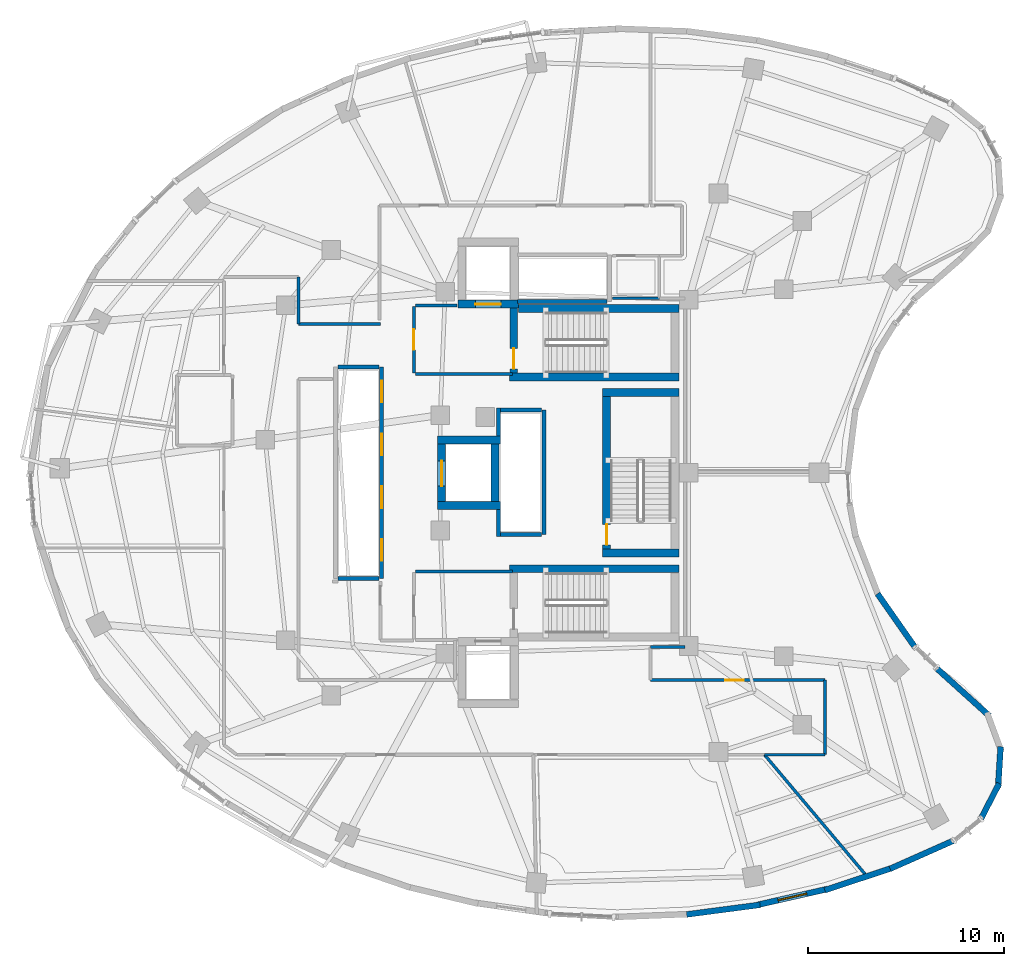
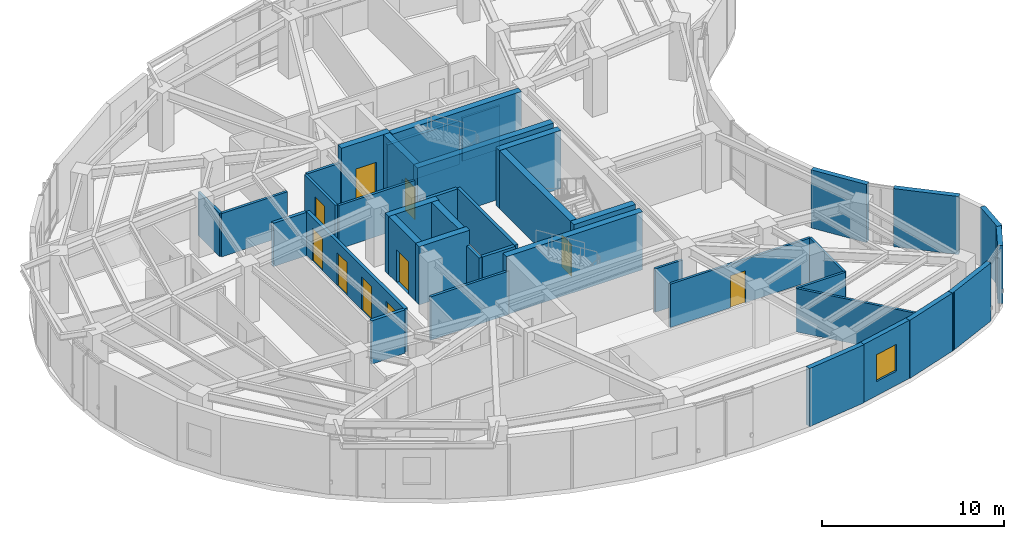
# One storey, part 9 of 15: 41 walls, 10 doors, 1 window, 11 openings.
"""IFC4 building model written with IfcOpenShell, lengths in metres."""

from ifc_helpers import new_model, si_unit, direction, frame, frame_2d, origin, place, context, subcontext, project, spatial, rectangle, extrude, material, layer, layer_set, type_object, element, fill, save


model = new_model("IFC4")

# Units and contexts
model_context = context("Model", 3, precision=1e-05, world=origin(), true_north=direction((0.0, 1.0)))
body_context = subcontext(model_context, "Body", "Model", "MODEL_VIEW")
ifc_project = project(units=[si_unit("LENGTHUNIT", "METRE"), si_unit("AREAUNIT", "SQUARE_METRE"), si_unit("VOLUMEUNIT", "CUBIC_METRE"), si_unit("PLANEANGLEUNIT", "RADIAN"), si_unit("MASSUNIT", "GRAM", prefix="KILO")], contexts=[model_context])

# Site, building, storey
site_placement = place(None, origin())
site = spatial("IfcSite", under=ifc_project, at=site_placement, CompositionType="ELEMENT")
building_placement = place(site_placement, origin())
building = spatial("IfcBuilding", under=site, at=building_placement, Name="Korentha Bioscience Tower", CompositionType="ELEMENT")
storey_placement = place(building_placement, frame((0.0, 0.0, 218.39990234375)))
storey = spatial("IfcBuildingStorey", under=building, at=storey_placement, Name="L50", CompositionType="ELEMENT", Elevation=218.39990234375)

# Wall, opening, door
ifc_material_1 = material(Name="Double-Stud Acoustic Gypsum", Category="gypsum")
ifc_layer_1 = layer(ifc_material_1, 0.14990234375, Name="Double-Stud Acoustic Gypsum")
ifc_layer_set_1 = layer_set([ifc_layer_1], Name="Double-Stud Acoustic Gypsum (IW-L150)")
wall_type_1 = type_object("IfcWallType", Name="Acoustic Laboratory Partition Wall 150", PredefinedType="PARTITIONING", material=ifc_layer_set_1)
wall_1_placement = place(storey_placement, frame((44.5, 16.409912109375, 0.0), z_axis=(0.0, 0.0, 1.0), x_axis=(-1.0, 0.0, 0.0)))
wall_1 = element("IfcWall", 1, at=wall_1_placement, inside=storey, type_object=wall_type_1, Name="L50 Clinical Trials Data Office 06 Entrance Wall", PredefinedType="PARTITIONING", context=body_context, shape_type="SweptSolid", body=[
    extrude(rectangle(XDim=8.89794921875, YDim=0.14990234375, at=frame_2d((4.448974609375, 0.0))), origin(), (0.0, 0.0, 1.0), 2.91015625),
])
opening_1_placement = place(wall_1_placement, frame((4.13818359375, 0.0, 0.0)))
opening_1 = element("IfcOpeningElement", 2, at=opening_1_placement, cuts=wall_1, Name="Opening ID-10R", PredefinedType="OPENING", context=body_context, shape_type="SweptSolid", body=[
    extrude(rectangle(XDim=0.949951171875, YDim=2.14990234375, at=frame_2d((0.47509765625, 1.074951171875))), frame((0.0, 0.08984375, 0.0), z_axis=(0.0, -1.0, 0.0), x_axis=(1.0, 0.0, 0.0)), (0.0, 0.0, 1.0), 0.1796875),
])
ifc_material_2 = material(Name="Phenolic Laminate Timber Core", Category="wood")
door_type_1 = type_object("IfcDoorType", Name="Laboratory Single Leaf Door 950x2150 Right", OperationType="SINGLE_SWING_RIGHT", PredefinedType="DOOR", material=ifc_material_2)
door_1_placement = place(opening_1_placement, origin())
door_1 = element("IfcDoor", 3, at=door_1_placement, inside=storey, type_object=door_type_1, Name="L50 Clinical Trials Data Office 06 Door", OperationType="SINGLE_SWING_RIGHT", OverallHeight=2.14990234375, OverallWidth=0.949951171875, PredefinedType="DOOR", context=body_context, shape_type="SweptSolid", body=[
    extrude(rectangle(XDim=0.949951171875, YDim=2.14990234375, at=frame_2d((0.47509765625, 1.074951171875))), frame((0.0, 0.02490234375, 0.0), z_axis=(0.0, -1.0, 0.0), x_axis=(1.0, 0.0, 0.0)), (0.0, 0.0, 1.0), 0.050048828125),
])
fill(opening_1, door_1)

# Walls
wall_2_placement = place(storey_placement, frame((41.41796875, 12.590087890625, 0.0), z_axis=(0.0, 0.0, 1.0), x_axis=(0.644315695233, -0.764759625554, 0.0)))
element("IfcWall", 4, at=wall_2_placement, inside=storey, type_object=wall_type_1, Name="L50 Interior Partition 033", PredefinedType="PARTITIONING", context=body_context, shape_type="SweptSolid", body=[
    extrude(rectangle(XDim=8.229736328125, YDim=0.14990234375, at=frame_2d((4.11474609375, 0.0))), origin(), (0.0, 0.0, 1.0), 2.91015625),
])
wall_3_placement = place(storey_placement, frame((35.60205078125, 18.090087890625, 0.0), z_axis=(0.0, 0.0, 1.0), x_axis=(1.0, 0.0, 0.0)))
element("IfcWall", 5, at=wall_3_placement, inside=storey, type_object=wall_type_1, Name="L50 Interior Partition 034", PredefinedType="PARTITIONING", context=body_context, shape_type="SweptSolid", body=[
    extrude(rectangle(XDim=1.748046875, YDim=0.14990234375, at=frame_2d((0.8740234375, 0.0))), origin(), (0.0, 0.0, 1.0), 2.91015625),
])
wall_4_placement = place(storey_placement, frame((41.430908203125, 12.590087890625, 0.0), z_axis=(0.0, 0.0, 1.0), x_axis=(1.0, 0.0, 0.0)))
element("IfcWall", 6, at=wall_4_placement, inside=storey, type_object=wall_type_1, Name="L50 Interior Partition 037", PredefinedType="PARTITIONING", context=body_context, shape_type="SweptSolid", body=[
    extrude(rectangle(XDim=3.069091796875, YDim=0.14990234375, at=frame_2d((1.53466796875, 0.0))), origin(), (0.0, 0.0, 1.0), 2.91015625),
])
wall_5_placement = place(storey_placement, frame((44.510009765625, 12.60009765625, 0.0), z_axis=(0.0, 0.0, 1.0), x_axis=(0.0, 1.0, 0.0)))
element("IfcWall", 7, at=wall_5_placement, inside=storey, type_object=wall_type_1, Name="L50 Interior Partition 038", PredefinedType="PARTITIONING", context=body_context, shape_type="SweptSolid", body=[
    extrude(rectangle(XDim=3.7998046875, YDim=0.14990234375, at=frame_2d((1.89990234375, 0.0))), origin(), (0.0, 0.0, 1.0), 2.91015625),
])

# Wall, opening, door
ifc_material_3 = material(Name="Gypsum-Clad Steel Stud", Category="steel")
ifc_layer_2 = layer(ifc_material_3, 0.159912109375, Name="Gypsum-Clad Steel Stud")
ifc_layer_set_2 = layer_set([ifc_layer_2], Name="Gypsum-Clad Steel Stud (IW-C160)")
wall_type_2 = type_object("IfcWallType", Name="Fire-Rated Corridor Partition Wall 160", PredefinedType="PARTITIONING", material=ifc_layer_set_2)
wall_6_placement = place(storey_placement, frame((23.5, 32.10009765625, 0.0), z_axis=(0.0, 0.0, 1.0), x_axis=(0.0, 1.0, 0.0)))
wall_6 = element("IfcWall", 8, at=wall_6_placement, inside=storey, type_object=wall_type_2, Name="L50 FFLN-CW Rated Enclosure Wall", PredefinedType="PARTITIONING", context=body_context, shape_type="SweptSolid", body=[
    extrude(rectangle(XDim=3.39990234375, YDim=0.159912109375, at=frame_2d((1.699951171875, 0.0))), origin(), (0.0, 0.0, 1.0), 2.91015625),
])
opening_2_placement = place(wall_6_placement, frame((1.175048828125, 0.0, 0.0)))
opening_2 = element("IfcOpeningElement", 9, at=opening_2_placement, cuts=wall_6, Name="Opening FD-90L", PredefinedType="OPENING", context=body_context, shape_type="SweptSolid", body=[
    extrude(rectangle(XDim=1.050048828125, YDim=2.14990234375, at=frame_2d((0.52490234375, 1.074951171875))), frame((0.0, 0.0947265625, 0.0), z_axis=(0.0, -1.0, 0.0), x_axis=(1.0, 0.0, 0.0)), (0.0, 0.0, 1.0), 0.189697265625),
])
ifc_material_4 = material(Name="Powder-Coated Fire-Rated Steel", Category="steel")
door_type_2 = type_object("IfcDoorType", Name="Stairwell Fire Exit Door 1050x2150 Left", OperationType="SINGLE_SWING_LEFT", PredefinedType="DOOR", material=ifc_material_4)
door_2_placement = place(opening_2_placement, origin())
door_2 = element("IfcDoor", 10, at=door_2_placement, inside=storey, type_object=door_type_2, Name="L50 North Firefighting Lobby Door", OperationType="SINGLE_SWING_LEFT", OverallHeight=2.14990234375, OverallWidth=1.050048828125, PredefinedType="DOOR", context=body_context, shape_type="SweptSolid", body=[
    extrude(rectangle(XDim=1.050048828125, YDim=2.14990234375, at=frame_2d((0.52490234375, 1.074951171875))), frame((0.0, 0.02490234375, 0.0), z_axis=(0.0, -1.0, 0.0), x_axis=(1.0, 0.0, 0.0)), (0.0, 0.0, 1.0), 0.050048828125),
])
fill(opening_2, door_2)

# Walls
wall_7_placement = place(storey_placement, frame((23.580078125, 32.050048828125, 0.0), z_axis=(0.0, 0.0, 1.0), x_axis=(1.0, 0.0, 0.0)))
element("IfcWall", 11, at=wall_7_placement, inside=storey, type_object=wall_type_2, Name="L50 Firefighting Lobby Return Wall FFLN-S", PredefinedType="PARTITIONING", context=body_context, shape_type="SweptSolid", body=[
    extrude(rectangle(XDim=4.969970703125, YDim=0.159912109375, at=frame_2d((2.48486328125, 0.0))), origin(), (0.0, 0.0, 1.0), 2.91015625),
])
wall_8_placement = place(storey_placement, frame((23.580078125, 35.550048828125, 0.0), z_axis=(0.0, 0.0, 1.0), x_axis=(1.0, 0.0, 0.0)))
element("IfcWall", 12, at=wall_8_placement, inside=storey, type_object=wall_type_2, Name="L50 Firefighting Lobby Return Wall FFLN-N", PredefinedType="PARTITIONING", context=body_context, shape_type="SweptSolid", body=[
    extrude(rectangle(XDim=2.119873046875, YDim=0.159912109375, at=frame_2d((1.06005859375, 0.0))), origin(), (0.0, 0.0, 1.0), 2.91015625),
])
wall_9_placement = place(storey_placement, frame((23.580078125, 21.949951171875, 0.0), z_axis=(0.0, 0.0, 1.0), x_axis=(1.0, 0.0, 0.0)))
element("IfcWall", 13, at=wall_9_placement, inside=storey, type_object=wall_type_2, Name="L50 Firefighting Lobby Return Wall FFLS-N", PredefinedType="PARTITIONING", context=body_context, shape_type="SweptSolid", body=[
    extrude(rectangle(XDim=4.969970703125, YDim=0.159912109375, at=frame_2d((2.48486328125, 0.0))), origin(), (0.0, 0.0, 1.0), 2.91015625),
])
wall_10_placement = place(storey_placement, frame((21.7900390625, 34.610107421875, 0.0), z_axis=(0.0, 0.0, 1.0), x_axis=(-1.0, 0.0, 0.0)))
element("IfcWall", 14, at=wall_10_placement, inside=storey, type_object=wall_type_2, Name="L50 Interior Partition 051", PredefinedType="PARTITIONING", context=body_context, shape_type="SweptSolid", body=[
    extrude(rectangle(XDim=4.179931640625, YDim=0.159912109375, at=frame_2d((2.08984375, 0.0))), origin(), (0.0, 0.0, 1.0), 2.91015625),
])
wall_11_placement = place(storey_placement, frame((17.610107421875, 34.610107421875, 0.0), z_axis=(0.0, 0.0, 1.0), x_axis=(0.0, 1.0, 0.0)))
element("IfcWall", 15, at=wall_11_placement, inside=storey, type_object=wall_type_2, Name="L50 Interior Partition 052", PredefinedType="PARTITIONING", context=body_context, shape_type="SweptSolid", body=[
    extrude(rectangle(XDim=2.389892578125, YDim=0.159912109375, at=frame_2d((1.19482421875, 0.0))), origin(), (0.0, 0.0, 1.0), 2.91015625),
])

# Wall, opening, window
ifc_material_5 = material(Name="Honed Limestone Precast Concrete C40", Category="masonry")
ifc_layer_3 = layer(ifc_material_5, 0.300048828125, Name="Honed Limestone Precast Concrete C40")
ifc_layer_set_3 = layer_set([ifc_layer_3], Name="Honed Limestone Precast Concrete C40 (EW-ST300)")
wall_type_3 = type_object("IfcWallType", Name="Honed Limestone Cavity Spandrel Wall 300", PredefinedType="STANDARD", material=ifc_layer_set_3)
wall_12_placement = place(storey_placement, frame((41.03564453125, 4.913818359375, 0.0), z_axis=(0.0, 0.0, 1.0), x_axis=(0.975237678872, 0.221159376263, 0.0)))
wall_12 = element("IfcWall", 16, at=wall_12_placement, inside=storey, type_object=wall_type_3, Name="L50 Honed Limestone Spandrel Wall 34", PredefinedType="STANDARD", context=body_context, shape_type="SweptSolid", body=[
    extrude(rectangle(XDim=3.70263671875, YDim=0.300048828125, at=frame_2d((1.851318359375, 0.0))), origin(), (0.0, 0.0, 1.0), 3.900146484375),
])
opening_3_placement = place(wall_12_placement, frame((1.101318359375, 0.0, 0.949951171875)))
opening_3 = element("IfcOpeningElement", 17, at=opening_3_placement, cuts=wall_12, Name="Opening WN-02", PredefinedType="OPENING", context=body_context, shape_type="SweptSolid", body=[
    extrude(rectangle(XDim=1.5, YDim=1.800048828125, at=frame_2d((0.75, 0.89990234375))), frame((0.0, 0.1650390625, 0.0), z_axis=(0.0, -1.0, 0.0), x_axis=(1.0, 0.0, 0.0)), (0.0, 0.0, 1.0), 0.329833984375),
])
ifc_material_6 = material(Name="Thermally Broken Aluminium Triple Glazing", Category="aluminium")
window_type = type_object("IfcWindowType", Name="Acoustic Operable Office Window 1500x1800", PartitioningType="DOUBLE_PANEL_VERTICAL", PredefinedType="WINDOW", material=ifc_material_6)
window_placement = place(opening_3_placement, origin())
window = element("IfcWindow", 18, at=window_placement, inside=storey, type_object=window_type, Name="L50 Facade Window 34", OverallHeight=1.800048828125, OverallWidth=1.5, PartitioningType="DOUBLE_PANEL_VERTICAL", PredefinedType="WINDOW", context=body_context, shape_type="SweptSolid", body=[
    extrude(rectangle(XDim=1.5, YDim=1.800048828125, at=frame_2d((0.75, 0.89990234375))), frame((0.0, 0.030029296875, 0.0), z_axis=(0.0, -1.0, 0.0), x_axis=(1.0, 0.0, 0.0)), (0.0, 0.0, 1.0), 0.06005859375),
])
fill(opening_3, window)

# Walls
wall_13_placement = place(storey_placement, frame((37.43701171875, 4.427978515625, 0.0), z_axis=(0.0, 0.0, 1.0), x_axis=(0.991512801574, 0.130009093201, 0.0)))
element("IfcWall", 19, at=wall_13_placement, inside=storey, type_object=wall_type_3, Name="L50 Limestone Perimeter Closure Wall 33", PredefinedType="STANDARD", context=body_context, shape_type="SweptSolid", body=[
    extrude(rectangle(XDim=3.785888671875, YDim=0.300048828125, at=frame_2d((1.89306640625, 0.0))), origin(), (0.0, 0.0, 1.0), 3.900146484375),
])
wall_14_placement = place(storey_placement, frame((44.503662109375, 5.67138671875, 0.0), z_axis=(0.0, 0.0, 1.0), x_axis=(0.94972655205, 0.313080622734, 0.0)))
element("IfcWall", 20, at=wall_14_placement, inside=storey, type_object=wall_type_3, Name="L50 Limestone Perimeter Closure Wall 35", PredefinedType="STANDARD", context=body_context, shape_type="SweptSolid", body=[
    extrude(rectangle(XDim=3.67919921875, YDim=0.300048828125, at=frame_2d((1.839599609375, 0.0))), origin(), (0.0, 0.0, 1.0), 3.900146484375),
])
wall_15_placement = place(storey_placement, frame((47.835693359375, 6.7607421875, 0.0), z_axis=(0.0, 0.0, 1.0), x_axis=(0.913940198441, 0.405848880341, 0.0)))
element("IfcWall", 21, at=wall_15_placement, inside=storey, type_object=wall_type_3, Name="L50 Limestone Perimeter Closure Wall 36", PredefinedType="STANDARD", context=body_context, shape_type="SweptSolid", body=[
    extrude(rectangle(XDim=3.598388671875, YDim=0.300048828125, at=frame_2d((1.79931640625, 0.0))), origin(), (0.0, 0.0, 1.0), 3.900146484375),
])
wall_16_placement = place(storey_placement, frame((52.451904296875, 9.2646484375, 0.0), z_axis=(0.0, 0.0, 1.0), x_axis=(0.459683297138, 0.888082916361, 0.0)))
element("IfcWall", 22, at=wall_16_placement, inside=storey, type_object=wall_type_3, Name="L50 Limestone Perimeter Closure Wall 38", PredefinedType="STANDARD", context=body_context, shape_type="SweptSolid", body=[
    extrude(rectangle(XDim=2.091552734375, YDim=0.300048828125, at=frame_2d((1.0458984375, 0.0))), origin(), (0.0, 0.0, 1.0), 3.900146484375),
])
wall_17_placement = place(storey_placement, frame((53.356201171875, 10.915283203125, 0.0), z_axis=(0.0, 0.0, 1.0), x_axis=(0.06186954965, 0.998084244353, 0.0)))
element("IfcWall", 23, at=wall_17_placement, inside=storey, type_object=wall_type_3, Name="L50 Limestone Perimeter Closure Wall 39", PredefinedType="STANDARD", context=body_context, shape_type="SweptSolid", body=[
    extrude(rectangle(XDim=2.09130859375, YDim=0.300048828125, at=frame_2d((1.045654296875, 0.0))), origin(), (0.0, 0.0, 1.0), 3.900146484375),
])
wall_18_placement = place(storey_placement, frame((52.9169921875, 14.568603515625, 0.0), z_axis=(0.0, 0.0, 1.0), x_axis=(-0.742037796493, 0.670358045059, 0.0)))
element("IfcWall", 24, at=wall_18_placement, inside=storey, type_object=wall_type_3, Name="L50 Limestone Perimeter Closure Wall 41", PredefinedType="STANDARD", context=body_context, shape_type="SweptSolid", body=[
    extrude(rectangle(XDim=3.685302734375, YDim=0.300048828125, at=frame_2d((1.8427734375, 0.0))), origin(), (0.0, 0.0, 1.0), 3.900146484375),
])
wall_19_placement = place(storey_placement, frame((49.123046875, 18.0673828125, 0.0), z_axis=(0.0, 0.0, 1.0), x_axis=(-0.573598849051, 0.819136350291, 0.0)))
element("IfcWall", 25, at=wall_19_placement, inside=storey, type_object=wall_type_3, Name="L50 Limestone Perimeter Closure Wall 44", PredefinedType="STANDARD", context=body_context, shape_type="SweptSolid", body=[
    extrude(rectangle(XDim=3.36083984375, YDim=0.300048828125, at=frame_2d((1.680419921875, 0.0))), origin(), (0.0, 0.0, 1.0), 3.900146484375),
])

# Wall, openings, doors
ifc_material_7 = material(Name="Autoclaved Aerated Concrete Block C25", Category="concrete")
ifc_layer_4 = layer(ifc_material_7, 0.199951171875, Name="Autoclaved Aerated Concrete Block C25")
ifc_layer_set_4 = layer_set([ifc_layer_4], Name="Autoclaved Aerated Concrete Block C25 (IW-S200)")
wall_type_4 = type_object("IfcWallType", Name="Lift and Riser Shaft Enclosure Wall 200", PredefinedType="PARTITIONING", material=ifc_layer_set_4)
wall_20_placement = place(storey_placement, frame((21.85009765625, 21.60009765625, 0.0), z_axis=(0.0, 0.0, 1.0), x_axis=(0.0, 1.0, 0.0)))
wall_20 = element("IfcWall", 26, at=wall_20_placement, inside=storey, type_object=wall_type_4, Name="L50 Lift Bank MID Shaft Wall +X", PredefinedType="PARTITIONING", context=body_context, shape_type="SweptSolid", body=[
    extrude(rectangle(XDim=10.7998046875, YDim=0.199951171875, at=frame_2d((5.39990234375, 0.0))), origin(), (0.0, 0.0, 1.0), 2.91015625),
])
opening_4_placement = place(wall_20_placement, frame((0.89990234375, 0.0, 0.0)))
opening_4 = element("IfcOpeningElement", 27, at=opening_4_placement, cuts=wall_20, Name="Opening LD-11", PredefinedType="OPENING", context=body_context, shape_type="SweptSolid", body=[
    extrude(rectangle(XDim=1.10009765625, YDim=2.199951171875, at=frame_2d((0.550048828125, 1.10009765625))), frame((0.0, 0.11474609375, 0.0), z_axis=(0.0, -1.0, 0.0), x_axis=(1.0, 0.0, 0.0)), (0.0, 0.0, 1.0), 0.229736328125),
])
opening_5_placement = place(wall_20_placement, frame((3.60009765625, 0.0, 0.0)))
opening_5 = element("IfcOpeningElement", 28, at=opening_5_placement, cuts=wall_20, Name="Opening LD-11", PredefinedType="OPENING", context=body_context, shape_type="SweptSolid", body=[
    extrude(rectangle(XDim=1.10009765625, YDim=2.199951171875, at=frame_2d((0.550048828125, 1.10009765625))), frame((0.0, 0.11474609375, 0.0), z_axis=(0.0, -1.0, 0.0), x_axis=(1.0, 0.0, 0.0)), (0.0, 0.0, 1.0), 0.229736328125),
])
opening_6_placement = place(wall_20_placement, frame((6.300048828125, 0.0, 0.0)))
opening_6 = element("IfcOpeningElement", 29, at=opening_6_placement, cuts=wall_20, Name="Opening LD-11", PredefinedType="OPENING", context=body_context, shape_type="SweptSolid", body=[
    extrude(rectangle(XDim=1.10009765625, YDim=2.199951171875, at=frame_2d((0.550048828125, 1.10009765625))), frame((0.0, 0.11474609375, 0.0), z_axis=(0.0, -1.0, 0.0), x_axis=(1.0, 0.0, 0.0)), (0.0, 0.0, 1.0), 0.229736328125),
])
opening_7_placement = place(wall_20_placement, frame((9.0, 0.0, 0.0)))
opening_7 = element("IfcOpeningElement", 30, at=opening_7_placement, cuts=wall_20, Name="Opening LD-11", PredefinedType="OPENING", context=body_context, shape_type="SweptSolid", body=[
    extrude(rectangle(XDim=1.10009765625, YDim=2.199951171875, at=frame_2d((0.550048828125, 1.10009765625))), frame((0.0, 0.11474609375, 0.0), z_axis=(0.0, -1.0, 0.0), x_axis=(1.0, 0.0, 0.0)), (0.0, 0.0, 1.0), 0.229736328125),
])
ifc_material_8 = material(Name="Brushed Stainless Steel 304", Category="steel")
door_type_3 = type_object("IfcDoorType", Name="Passenger Lift Sliding Landing Door 1100x2200", OperationType="DOUBLE_DOOR_SLIDING", PredefinedType="DOOR", material=ifc_material_8)
door_3_placement = place(opening_4_placement, origin())
door_3 = element("IfcDoor", 31, at=door_3_placement, inside=storey, type_object=door_type_3, Name="L50 PL-M1 Sliding Lift Landing Door", OperationType="DOUBLE_DOOR_SLIDING", OverallHeight=2.199951171875, OverallWidth=1.10009765625, PredefinedType="DOOR", context=body_context, shape_type="SweptSolid", body=[
    extrude(rectangle(XDim=1.10009765625, YDim=2.199951171875, at=frame_2d((0.550048828125, 1.10009765625))), frame((0.0, 0.02490234375, 0.0), z_axis=(0.0, -1.0, 0.0), x_axis=(1.0, 0.0, 0.0)), (0.0, 0.0, 1.0), 0.050048828125),
])
fill(opening_4, door_3)
door_4_placement = place(opening_5_placement, origin())
door_4 = element("IfcDoor", 32, at=door_4_placement, inside=storey, type_object=door_type_3, Name="L50 PL-M2 Sliding Lift Landing Door", OperationType="DOUBLE_DOOR_SLIDING", OverallHeight=2.199951171875, OverallWidth=1.10009765625, PredefinedType="DOOR", context=body_context, shape_type="SweptSolid", body=[
    extrude(rectangle(XDim=1.10009765625, YDim=2.199951171875, at=frame_2d((0.550048828125, 1.10009765625))), frame((0.0, 0.02490234375, 0.0), z_axis=(0.0, -1.0, 0.0), x_axis=(1.0, 0.0, 0.0)), (0.0, 0.0, 1.0), 0.050048828125),
])
fill(opening_5, door_4)
door_5_placement = place(opening_6_placement, origin())
door_5 = element("IfcDoor", 33, at=door_5_placement, inside=storey, type_object=door_type_3, Name="L50 PL-M3 Sliding Lift Landing Door", OperationType="DOUBLE_DOOR_SLIDING", OverallHeight=2.199951171875, OverallWidth=1.10009765625, PredefinedType="DOOR", context=body_context, shape_type="SweptSolid", body=[
    extrude(rectangle(XDim=1.10009765625, YDim=2.199951171875, at=frame_2d((0.550048828125, 1.10009765625))), frame((0.0, 0.02490234375, 0.0), z_axis=(0.0, -1.0, 0.0), x_axis=(1.0, 0.0, 0.0)), (0.0, 0.0, 1.0), 0.050048828125),
])
fill(opening_6, door_5)
door_6_placement = place(opening_7_placement, origin())
door_6 = element("IfcDoor", 34, at=door_6_placement, inside=storey, type_object=door_type_3, Name="L50 PL-M4 Sliding Lift Landing Door", OperationType="DOUBLE_DOOR_SLIDING", OverallHeight=2.199951171875, OverallWidth=1.10009765625, PredefinedType="DOOR", context=body_context, shape_type="SweptSolid", body=[
    extrude(rectangle(XDim=1.10009765625, YDim=2.199951171875, at=frame_2d((0.550048828125, 1.10009765625))), frame((0.0, 0.02490234375, 0.0), z_axis=(0.0, -1.0, 0.0), x_axis=(1.0, 0.0, 0.0)), (0.0, 0.0, 1.0), 0.050048828125),
])
fill(opening_7, door_6)

# Walls
for number, where, z_axis, x_axis, name in (
    (35, (19.6201171875, 21.60009765625, 0.0), (0.0, 0.0, 1.0), (1.0, 0.0, 0.0), "L50 Lift Bank MID Shaft Wall -Y"),
    (36, (19.6201171875, 32.39990234375, 0.0), (0.0, 0.0, 1.0), (1.0, 0.0, 0.0), "L50 Lift Bank MID Shaft Wall +Y"),
):
    element("IfcWall", number, at=place(storey_placement, frame(where, z_axis=z_axis, x_axis=x_axis)), inside=storey, type_object=wall_type_4, Name=name, PredefinedType="PARTITIONING", context=body_context, shape_type="SweptSolid", body=[
        extrude(rectangle(XDim=2.10986328125, YDim=0.199951171875, at=frame_2d((1.054931640625, 0.0))), origin(), (0.0, 0.0, 1.0), 2.91015625),
    ])
wall_21_placement = place(storey_placement, frame((27.830078125, 23.75, 0.0), z_axis=(0.0, 0.0, 1.0), x_axis=(0.0, 1.0, 0.0)))
element("IfcWall", 37, at=wall_21_placement, inside=storey, type_object=wall_type_4, Name="L50 Lift Bank HIGH Shaft Wall -XS", PredefinedType="PARTITIONING", context=body_context, shape_type="SweptSolid", body=[
    extrude(rectangle(XDim=1.365966796875, YDim=0.199951171875, at=frame_2d((0.68310546875, 0.0))), origin(), (0.0, 0.0, 1.0), 2.91015625),
])
wall_22_placement = place(storey_placement, frame((27.830078125, 28.884033203125, 0.0), z_axis=(0.0, 0.0, 1.0), x_axis=(0.0, 1.0, 0.0)))
element("IfcWall", 38, at=wall_22_placement, inside=storey, type_object=wall_type_4, Name="L50 Lift Bank HIGH Shaft Wall -XN", PredefinedType="PARTITIONING", context=body_context, shape_type="SweptSolid", body=[
    extrude(rectangle(XDim=1.416015625, YDim=0.199951171875, at=frame_2d((0.7080078125, 0.0))), origin(), (0.0, 0.0, 1.0), 2.91015625),
])
wall_23_placement = place(storey_placement, frame((30.14990234375, 23.85009765625, 0.0), z_axis=(0.0, 0.0, 1.0), x_axis=(0.0, 1.0, 0.0)))
element("IfcWall", 39, at=wall_23_placement, inside=storey, type_object=wall_type_4, Name="L50 Lift Bank HIGH Shaft Wall +X", PredefinedType="PARTITIONING", context=body_context, shape_type="SweptSolid", body=[
    extrude(rectangle(XDim=6.349853515625, YDim=0.199951171875, at=frame_2d((3.1748046875, 0.0))), origin(), (0.0, 0.0, 1.0), 2.91015625),
])
for number, where, z_axis, x_axis, name in (
    (40, (27.93408203125, 23.85009765625, 0.0), (0.0, 0.0, 1.0), (1.0, 0.0, 0.0), "L50 Lift Bank HIGH Shaft Wall -Y"),
    (41, (27.93408203125, 30.199951171875, 0.0), (0.0, 0.0, 1.0), (1.0, 0.0, 0.0), "L50 Lift Bank HIGH Shaft Wall +Y"),
):
    element("IfcWall", number, at=place(storey_placement, frame(where, z_axis=z_axis, x_axis=x_axis)), inside=storey, type_object=wall_type_4, Name=name, PredefinedType="PARTITIONING", context=body_context, shape_type="SweptSolid", body=[
        extrude(rectangle(XDim=2.095947265625, YDim=0.199951171875, at=frame_2d((1.0478515625, 0.0))), origin(), (0.0, 0.0, 1.0), 2.91015625),
    ])
wall_24_placement = place(storey_placement, frame((28.800048828125, 35.760009765625, 0.0), z_axis=(0.0, 0.0, 1.0), x_axis=(1.0, 0.0, 0.0)))
element("IfcWall", 42, at=wall_24_placement, inside=storey, type_object=wall_type_4, Name="L50 Lift Bank OBS Shaft Wall -Y", PredefinedType="PARTITIONING", context=body_context, shape_type="SweptSolid", body=[
    extrude(rectangle(XDim=4.570068359375, YDim=0.199951171875, at=frame_2d((2.28515625, 0.0))), origin(), (0.0, 0.0, 1.0), 2.91015625),
])
ifc_material_9 = material(Name="Concrete C65", Category="concrete")
ifc_layer_5 = layer(ifc_material_9, 0.39990234375, Name="Concrete C65")
ifc_layer_set_5 = layer_set([ifc_layer_5], Name="Concrete C65 (CW-C65)")
wall_type_5 = type_object("IfcWallType", Name="Mid-Rise Core Shear Wall 400", PredefinedType="SHEAR", material=ifc_layer_set_5)
wall_25_placement = place(storey_placement, frame((28.85205078125, 35.39990234375, 0.0), z_axis=(0.0, 0.0, 1.0), x_axis=(1.0, 0.0, 0.0)))
element("IfcWall", 43, at=wall_25_placement, inside=storey, type_object=wall_type_5, Name="L50 Core Shear Wall ST1-N", PredefinedType="SHEAR", context=body_context, shape_type="SweptSolid", body=[
    extrude(rectangle(XDim=8.197998046875, YDim=0.39990234375, at=frame_2d((4.09912109375, 0.0))), origin(), (0.0, 0.0, 1.0), 3.900146484375),
])
wall_26_placement = place(storey_placement, frame((28.39990234375, 31.89990234375, 0.0), z_axis=(0.0, 0.0, 1.0), x_axis=(1.0, 0.0, 0.0)))
element("IfcWall", 44, at=wall_26_placement, inside=storey, type_object=wall_type_5, Name="L50 Core Shear Wall ST1-S", PredefinedType="SHEAR", context=body_context, shape_type="SweptSolid", body=[
    extrude(rectangle(XDim=8.650146484375, YDim=0.39990234375, at=frame_2d((4.3251953125, 0.0))), origin(), (0.0, 0.0, 1.0), 3.900146484375),
])

# Wall, opening, door
wall_27_placement = place(storey_placement, frame((28.60009765625, 32.110107421875, 0.0), z_axis=(0.0, 0.0, 1.0), x_axis=(0.0, 1.0, 0.0)))
wall_27 = element("IfcWall", 45, at=wall_27_placement, inside=storey, type_object=wall_type_5, Name="L50 Core Shear Wall ST1-W", PredefinedType="SHEAR", context=body_context, shape_type="SweptSolid", body=[
    extrude(rectangle(XDim=3.307861328125, YDim=0.39990234375, at=frame_2d((1.65380859375, 0.0))), origin(), (0.0, 0.0, 1.0), 3.900146484375),
])
opening_8_placement = place(wall_27_placement, frame((0.199951171875, 0.0, 0.0)))
opening_8 = element("IfcOpeningElement", 46, at=opening_8_placement, cuts=wall_27, Name="Opening FD-90L", PredefinedType="OPENING", context=body_context, shape_type="SweptSolid", body=[
    extrude(rectangle(XDim=1.050048828125, YDim=2.14990234375, at=frame_2d((0.52490234375, 1.074951171875))), frame((0.0, 0.21484375, 0.0), z_axis=(0.0, -1.0, 0.0), x_axis=(1.0, 0.0, 0.0)), (0.0, 0.0, 1.0), 0.4296875),
])
door_7_placement = place(opening_8_placement, origin())
door_7 = element("IfcDoor", 47, at=door_7_placement, inside=storey, type_object=door_type_2, Name="L50 ST-1 Fire Exit Stair Door", OperationType="SINGLE_SWING_LEFT", OverallHeight=2.14990234375, OverallWidth=1.050048828125, PredefinedType="DOOR", context=body_context, shape_type="SweptSolid", body=[
    extrude(rectangle(XDim=1.050048828125, YDim=2.14990234375, at=frame_2d((0.52490234375, 1.074951171875))), frame((0.0, 0.02490234375, 0.0), z_axis=(0.0, -1.0, 0.0), x_axis=(1.0, 0.0, 0.0)), (0.0, 0.0, 1.0), 0.050048828125),
])
fill(opening_8, door_7)

# Walls
wall_28_placement = place(storey_placement, frame((28.39990234375, 22.10009765625, 0.0), z_axis=(0.0, 0.0, 1.0), x_axis=(1.0, 0.0, 0.0)))
element("IfcWall", 48, at=wall_28_placement, inside=storey, type_object=wall_type_5, Name="L50 Core Shear Wall ST2-N", PredefinedType="SHEAR", context=body_context, shape_type="SweptSolid", body=[
    extrude(rectangle(XDim=8.650146484375, YDim=0.39990234375, at=frame_2d((4.3251953125, 0.0))), origin(), (0.0, 0.0, 1.0), 3.900146484375),
])
for number, where, z_axis, x_axis, name in (
    (49, (33.14990234375, 31.10009765625, 0.0), (0.0, 0.0, 1.0), (1.0, 0.0, 0.0), "L50 Core Shear Wall ST3-N"),
    (50, (33.14990234375, 22.89990234375, 0.0), (0.0, 0.0, 1.0), (1.0, 0.0, 0.0), "L50 Core Shear Wall ST3-S"),
):
    element("IfcWall", number, at=place(storey_placement, frame(where, z_axis=z_axis, x_axis=x_axis)), inside=storey, type_object=wall_type_5, Name=name, PredefinedType="SHEAR", context=body_context, shape_type="SweptSolid", body=[
        extrude(rectangle(XDim=3.900146484375, YDim=0.39990234375, at=frame_2d((1.9501953125, 0.0))), origin(), (0.0, 0.0, 1.0), 3.900146484375),
    ])

# Wall, opening, door
wall_29_placement = place(storey_placement, frame((33.35009765625, 23.110107421875, 0.0), z_axis=(0.0, 0.0, 1.0), x_axis=(0.0, 1.0, 0.0)))
wall_29 = element("IfcWall", 51, at=wall_29_placement, inside=storey, type_object=wall_type_5, Name="L50 Core Shear Wall ST3-W", PredefinedType="SHEAR", context=body_context, shape_type="SweptSolid", body=[
    extrude(rectangle(XDim=7.77978515625, YDim=0.39990234375, at=frame_2d((3.889892578125, 0.0))), origin(), (0.0, 0.0, 1.0), 3.900146484375),
])
opening_9_placement = place(wall_29_placement, frame((0.199951171875, 0.0, 0.0)))
opening_9 = element("IfcOpeningElement", 52, at=opening_9_placement, cuts=wall_29, Name="Opening FD-90L", PredefinedType="OPENING", context=body_context, shape_type="SweptSolid", body=[
    extrude(rectangle(XDim=1.050048828125, YDim=2.14990234375, at=frame_2d((0.52490234375, 1.074951171875))), frame((0.0, 0.21484375, 0.0), z_axis=(0.0, -1.0, 0.0), x_axis=(1.0, 0.0, 0.0)), (0.0, 0.0, 1.0), 0.4296875),
])
door_8_placement = place(opening_9_placement, origin())
door_8 = element("IfcDoor", 53, at=door_8_placement, inside=storey, type_object=door_type_2, Name="L50 ST-3 Fire Exit Stair Door", OperationType="SINGLE_SWING_LEFT", OverallHeight=2.14990234375, OverallWidth=1.050048828125, PredefinedType="DOOR", context=body_context, shape_type="SweptSolid", body=[
    extrude(rectangle(XDim=1.050048828125, YDim=2.14990234375, at=frame_2d((0.52490234375, 1.074951171875))), frame((0.0, 0.02490234375, 0.0), z_axis=(0.0, -1.0, 0.0), x_axis=(1.0, 0.0, 0.0)), (0.0, 0.0, 1.0), 0.050048828125),
])
fill(opening_9, door_8)

wall_30_placement = place(storey_placement, frame((25.75, 35.6201171875, 0.0), z_axis=(0.0, 0.0, 1.0), x_axis=(1.0, 0.0, 0.0)))
wall_30 = element("IfcWall", 54, at=wall_30_placement, inside=storey, type_object=wall_type_5, Name="L50 Core Shear Wall FFL2-S", PredefinedType="SHEAR", context=body_context, shape_type="SweptSolid", body=[
    extrude(rectangle(XDim=3.10009765625, YDim=0.39990234375, at=frame_2d((1.550048828125, 0.0))), origin(), (0.0, 0.0, 1.0), 3.900146484375),
])
opening_10_placement = place(wall_30_placement, frame((0.89990234375, 0.0, 0.0)))
opening_10 = element("IfcOpeningElement", 55, at=opening_10_placement, cuts=wall_30, Name="Opening LD-13", PredefinedType="OPENING", context=body_context, shape_type="SweptSolid", body=[
    extrude(rectangle(XDim=1.300048828125, YDim=2.199951171875, at=frame_2d((0.64990234375, 1.10009765625))), frame((0.0, 0.21484375, 0.0), z_axis=(0.0, -1.0, 0.0), x_axis=(1.0, 0.0, 0.0)), (0.0, 0.0, 1.0), 0.4296875),
])
ifc_material_10 = material(Name="Brushed Stainless Steel 316", Category="steel")
door_type_4 = type_object("IfcDoorType", Name="Service & Firefighting Lift Landing Door 1300x2300", OperationType="DOUBLE_DOOR_SLIDING", PredefinedType="DOOR", material=ifc_material_10)
door_9_placement = place(opening_10_placement, origin())
door_9 = element("IfcDoor", 56, at=door_9_placement, inside=storey, type_object=door_type_4, Name="L50 FFL-2 Sliding Lift Landing Door", OperationType="DOUBLE_DOOR_SLIDING", OverallHeight=2.199951171875, OverallWidth=1.300048828125, PredefinedType="DOOR", context=body_context, shape_type="SweptSolid", body=[
    extrude(rectangle(XDim=1.300048828125, YDim=2.199951171875, at=frame_2d((0.64990234375, 1.10009765625))), frame((0.0, 0.02490234375, 0.0), z_axis=(0.0, -1.0, 0.0), x_axis=(1.0, 0.0, 0.0)), (0.0, 0.0, 1.0), 0.050048828125),
])
fill(opening_10, door_9)

# Walls
for number, where, z_axis, x_axis, name in (
    (57, (24.719970703125, 28.679931640625, 0.0), (0.0, 0.0, 1.0), (1.0, 0.0, 0.0), "L50 Core Shear Wall SVL1-N"),
    (58, (24.719970703125, 25.320068359375, 0.0), (0.0, 0.0, 1.0), (1.0, 0.0, 0.0), "L50 Core Shear Wall SVL1-S"),
):
    element("IfcWall", number, at=place(storey_placement, frame(where, z_axis=z_axis, x_axis=x_axis)), inside=storey, type_object=wall_type_5, Name=name, PredefinedType="SHEAR", context=body_context, shape_type="SweptSolid", body=[
        extrude(rectangle(XDim=3.2099609375, YDim=0.39990234375, at=frame_2d((1.60498046875, 0.0))), origin(), (0.0, 0.0, 1.0), 3.900146484375),
    ])

# Wall, opening, door
wall_31_placement = place(storey_placement, frame((24.919921875, 25.52197265625, 0.0), z_axis=(0.0, 0.0, 1.0), x_axis=(0.0, 1.0, 0.0)))
wall_31 = element("IfcWall", 59, at=wall_31_placement, inside=storey, type_object=wall_type_5, Name="L50 Core Shear Wall SVL1-W", PredefinedType="SHEAR", context=body_context, shape_type="SweptSolid", body=[
    extrude(rectangle(XDim=2.9560546875, YDim=0.39990234375, at=frame_2d((1.47802734375, 0.0))), origin(), (0.0, 0.0, 1.0), 3.900146484375),
])
opening_11_placement = place(wall_31_placement, frame((0.7900390625, 0.0, 0.0)))
opening_11 = element("IfcOpeningElement", 60, at=opening_11_placement, cuts=wall_31, Name="Opening LD-13", PredefinedType="OPENING", context=body_context, shape_type="SweptSolid", body=[
    extrude(rectangle(XDim=1.300048828125, YDim=2.199951171875, at=frame_2d((0.64990234375, 1.10009765625))), frame((0.0, 0.21484375, 0.0), z_axis=(0.0, -1.0, 0.0), x_axis=(1.0, 0.0, 0.0)), (0.0, 0.0, 1.0), 0.4296875),
])
door_10_placement = place(opening_11_placement, origin())
door_10 = element("IfcDoor", 61, at=door_10_placement, inside=storey, type_object=door_type_4, Name="L50 SVL-1 Sliding Lift Landing Door", OperationType="DOUBLE_DOOR_SLIDING", OverallHeight=2.199951171875, OverallWidth=1.300048828125, PredefinedType="DOOR", context=body_context, shape_type="SweptSolid", body=[
    extrude(rectangle(XDim=1.300048828125, YDim=2.199951171875, at=frame_2d((0.64990234375, 1.10009765625))), frame((0.0, 0.02490234375, 0.0), z_axis=(0.0, -1.0, 0.0), x_axis=(1.0, 0.0, 0.0)), (0.0, 0.0, 1.0), 0.050048828125),
])
fill(opening_11, door_10)

# Walls
wall_32_placement = place(storey_placement, frame((27.64990234375, 25.52197265625, 0.0), z_axis=(0.0, 0.0, 1.0), x_axis=(0.0, 1.0, 0.0)))
element("IfcWall", 62, at=wall_32_placement, inside=storey, type_object=wall_type_5, Name="L50 Core Shear Wall SVL1-E", PredefinedType="SHEAR", context=body_context, shape_type="SweptSolid", body=[
    extrude(rectangle(XDim=2.9560546875, YDim=0.39990234375, at=frame_2d((1.47802734375, 0.0))), origin(), (0.0, 0.0, 1.0), 3.900146484375),
])
ifc_material_11 = material(Name="Cement-Board Steel Stud", Category="steel")
ifc_layer_6 = layer(ifc_material_11, 0.1298828125, Name="Cement-Board Steel Stud")
ifc_layer_set_6 = layer_set([ifc_layer_6], Name="Cement-Board Steel Stud (IW-W130)")
wall_type_6 = type_object("IfcWallType", Name="Wet-Area Moisture-Resistant Partition 130", PredefinedType="PARTITIONING", material=ifc_layer_set_6)
wall_33_placement = place(storey_placement, frame((36.050048828125, 35.909912109375, 0.0), z_axis=(0.0, 0.0, 1.0), x_axis=(-1.0, 0.0, 0.0)))
element("IfcWall", 63, at=wall_33_placement, inside=storey, type_object=wall_type_6, Name="L50 Interior Partition 014", PredefinedType="PARTITIONING", context=body_context, shape_type="SweptSolid", body=[
    extrude(rectangle(XDim=2.400146484375, YDim=0.1298828125, at=frame_2d((1.2001953125, 0.0))), origin(), (0.0, 0.0, 1.0), 2.91015625),
])

save(model, "model.ifc")
